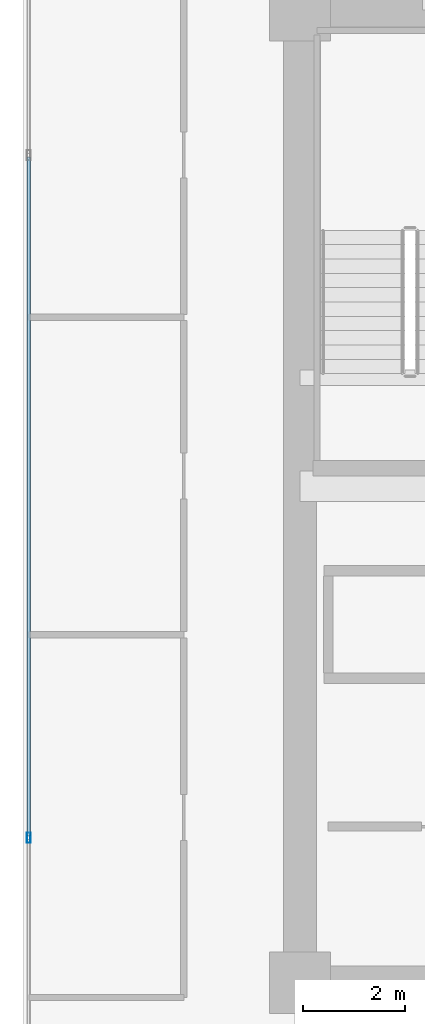
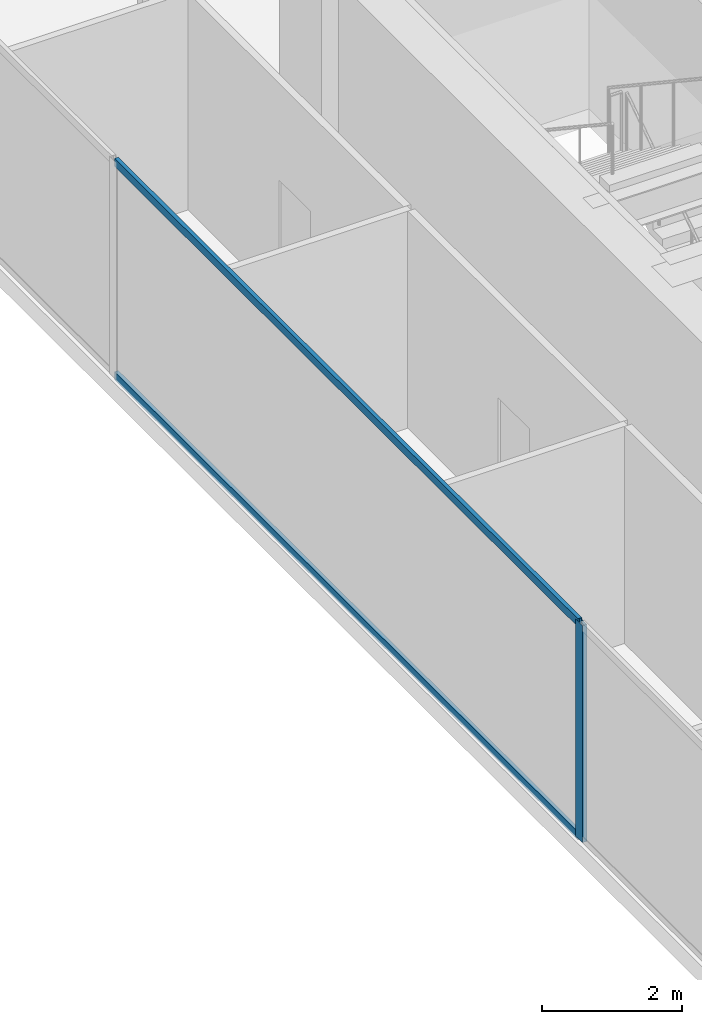
# One storey, part 6 of 30: 3 members, 1 element without a shape of its own.
"""IFC4 building model written with IfcOpenShell, lengths in metres."""

from ifc_helpers import new_model, si_unit, direction, frame, origin, origin_2d, place, context, subcontext, project, spatial, hollow_rectangle, extrude, source, transform, mapped, material, layer, layer_set, material_profile, profile_set, type_object, type_shapes, element, aggregate, save


model = new_model("IFC4")

# Units and contexts
model_context = context("Model", 3, precision=1e-05, world=origin(), true_north=direction((0.0, 1.0)))
body_context = subcontext(model_context, "Body", "Model", "MODEL_VIEW")
ifc_project = project(units=[si_unit("LENGTHUNIT", "METRE"), si_unit("AREAUNIT", "SQUARE_METRE"), si_unit("VOLUMEUNIT", "CUBIC_METRE"), si_unit("PLANEANGLEUNIT", "RADIAN"), si_unit("MASSUNIT", "GRAM", prefix="KILO")], contexts=[model_context])

# Site, building, storey
site_placement = place(None, origin())
site = spatial("IfcSite", under=ifc_project, at=site_placement, CompositionType="ELEMENT")
building_placement = place(site_placement, origin())
building = spatial("IfcBuilding", under=site, at=building_placement, Name="Haelvirn Gate Laboratories", CompositionType="ELEMENT")
storey_placement = place(building_placement, frame((0.0, 0.0, 162.5)))
storey = spatial("IfcBuildingStorey", under=building, at=storey_placement, Name="L39", CompositionType="ELEMENT", Elevation=162.5)

# Curtain wall, members
ifc_material_1 = material(Name="Anodised bronze unitised aluminium & triple low-E glass", Category="aluminium")
ifc_layer = layer(ifc_material_1, 0.179931640625, Name="CW-SYS-3")
ifc_layer_set = layer_set([ifc_layer], Name="Anodised bronze unitised aluminium & triple low-E glass")
curtain_wall_type = type_object("IfcCurtainWallType", Name="CW-SYS-3", PredefinedType="NOTDEFINED", material=ifc_layer_set)
curtain_wall_placement = place(storey_placement, origin())
curtain_wall = element("IfcCurtainWall", 1, at=curtain_wall_placement, inside=storey, type_object=curtain_wall_type, Name="L39 Unitised Curtain Wall CW-L39-P0-E17", PredefinedType="NOTDEFINED")
ifc_material_2 = material(Name="Extruded aluminium 6063-T6 (anodised bronze)", Category="aluminium")
ifc_material_profile_1 = material_profile(ifc_material_2, hollow_rectangle(XDim=0.06494140625, YDim=0.139892578125, WallThickness=0.00390625, at=origin_2d()), Name="CWT-140x65x4")
ifc_profile_set_1 = profile_set([ifc_material_profile_1], Name="Extruded aluminium 6063-T6 (anodised bronze)")
member_type_1 = type_object("IfcMemberType", Name="CWT-T140", PredefinedType="USERDEFINED", material=ifc_profile_set_1)
shared_shape_1 = source(origin(), body_context, "Body", "SweptSolid", [
    extrude(hollow_rectangle(XDim=0.06494140625, YDim=0.139892578125, WallThickness=0.00390625, at=origin_2d()), origin(), (0.0, 0.0, 1.0), 13.25830078125),
])
type_shapes(member_type_1, [shared_shape_1])
member_1_placement = place(storey_placement, frame((2.10009765625, 30.92919921875, 0.032470703125), z_axis=(0.0, -1.0, 0.0), x_axis=(1.0, 0.0, 0.0)))
member_1 = element("IfcMember", 2, at=member_1_placement, type_object=member_type_1, Name="CW3 transom 2.1", ObjectType="TRANSOM", PredefinedType="USERDEFINED", context=body_context, shape_type="MappedRepresentation", body=[
    mapped(shared_shape_1, transform((0.0, 0.0, 0.0), scale=1.0)),
])
member_2_placement = place(storey_placement, frame((2.10009765625, 30.92919921875, 3.757568359375), z_axis=(0.0, -1.0, 0.0), x_axis=(1.0, 0.0, 0.0)))
member_2 = element("IfcMember", 3, at=member_2_placement, type_object=member_type_1, Name="CW3 transom 2.2", ObjectType="TRANSOM", PredefinedType="USERDEFINED", context=body_context, shape_type="MappedRepresentation", body=[
    mapped(shared_shape_1, transform((0.0, 0.0, 0.0), scale=1.0)),
])
ifc_material_profile_2 = material_profile(ifc_material_2, hollow_rectangle(XDim=0.074951171875, YDim=0.199951171875, WallThickness=0.0048828125, at=origin_2d()), Name="CWM-200x75x5")
ifc_profile_set_2 = profile_set([ifc_material_profile_2], Name="Extruded aluminium 6063-T6 (anodised bronze)")
member_type_2 = type_object("IfcMemberType", Name="CWM-T200", PredefinedType="MULLION", material=ifc_profile_set_2)
shared_shape_2 = source(origin(), body_context, "Body", "SweptSolid", [
    extrude(hollow_rectangle(XDim=0.074951171875, YDim=0.199951171875, WallThickness=0.0048828125, at=origin_2d()), origin(), (0.0, 0.0, 1.0), 3.7900390625),
])
type_shapes(member_type_2, [shared_shape_2])
member_3_placement = place(storey_placement, frame((2.10009765625, 17.63330078125, 0.0), z_axis=(0.0, 0.0, 1.0), x_axis=(1.0, 0.0, 0.0)))
member_3 = element("IfcMember", 4, at=member_3_placement, type_object=member_type_2, Name="CW3 mullion 3", PredefinedType="MULLION", context=body_context, shape_type="MappedRepresentation", body=[
    mapped(shared_shape_2, transform((0.0, 0.0, 0.0), scale=1.0)),
])
aggregate(curtain_wall, [member_3, member_1, member_2])

save(model, "model.ifc")
